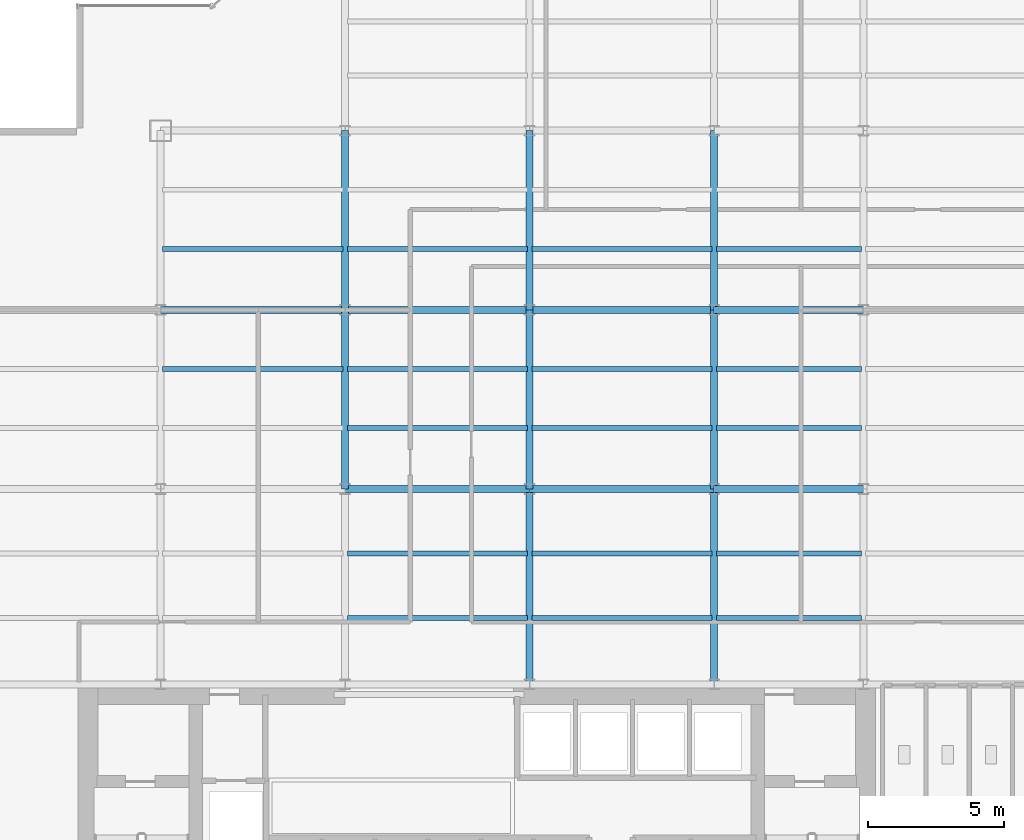
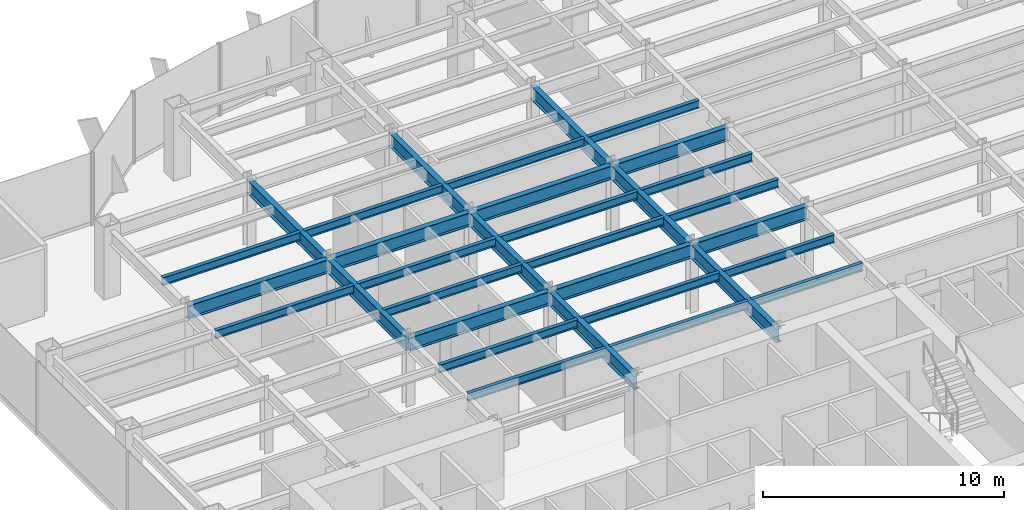
# One storey, part 7 of 26: 32 beams.
"""IFC4 building model written with IfcOpenShell, lengths in metres."""

from ifc_helpers import new_model, si_unit, derived_unit, direction, frame, origin, origin_2d, place, context, subcontext, project, spatial, i_section, extrude, source, transform, mapped, material, material_profile, profile_set, type_object, element, save


model = new_model("IFC4")

# Units and contexts
model_context = context("Model", 3, precision=1e-05, world=origin(), true_north=direction((0.0, 1.0)))
body_context = subcontext(model_context, "Body", "Model", "MODEL_VIEW")
ifc_project = project(units=[si_unit("LENGTHUNIT", "METRE"), si_unit("AREAUNIT", "SQUARE_METRE"), si_unit("VOLUMEUNIT", "CUBIC_METRE"), si_unit("PLANEANGLEUNIT", "RADIAN"), si_unit("MASSUNIT", "GRAM", prefix="KILO"), derived_unit("THERMALTRANSMITTANCEUNIT", [(si_unit("POWERUNIT", "WATT"), 1), (si_unit("LENGTHUNIT", "METRE"), -2), (si_unit("THERMODYNAMICTEMPERATUREUNIT", "KELVIN"), -1)])], contexts=[model_context])

# Site, building, storey
site_placement = place(None, origin())
site = spatial("IfcSite", under=ifc_project, at=site_placement, CompositionType="ELEMENT")
building_placement = place(site_placement, origin())
building = spatial("IfcBuilding", under=site, at=building_placement, Name="Skarnbrae Concourse Arena and Tower", CompositionType="ELEMENT")
storey_placement = place(building_placement, frame((0.0, 0.0, 128.800048828125)))
storey = spatial("IfcBuildingStorey", under=building, at=storey_placement, Name="L32", CompositionType="ELEMENT", Elevation=128.800048828125)

# Beams
ifc_material = material(Name="Steel CSA G40.21 350W", Category="steel")
ifc_material_profile_1 = material_profile(ifc_material, i_section(OverallWidth=0.256103515625, OverallDepth=0.693115234375, WebThickness=0.014404296875, FlangeThickness=0.023681640625, at=origin_2d()), Name="W690X170")
ifc_profile_set_1 = profile_set([ifc_material_profile_1], Name="Steel CSA G40.21 350W")
beam_type_1 = type_object("IfcBeamType", Name="BM-GIRD-W690X170", PredefinedType="BEAM", material=ifc_profile_set_1)
shared_shape_1 = source(origin(), body_context, "Body", "SweptSolid", [
    extrude(i_section(OverallWidth=0.256103515625, OverallDepth=0.693115234375, WebThickness=0.014404296875, FlangeThickness=0.023681640625, at=origin_2d()), origin(), (0.0, 0.0, 1.0), 6.60009765625),
])
for number, where, z_axis, x_axis, name in (
    (1, (14.39990234375, 21.199951171875, 3.053466796875), (0.0, 1.0, 0.0), (-1.0, 0.0, 0.0), "L32 Primary N-S girder X14.4-2"),
    (2, (21.199951171875, 21.199951171875, 3.053466796875), (0.0, 1.0, 0.0), (-1.0, 0.0, 0.0), "L32 Primary N-S girder X21.2-2"),
    (3, (28.0, 21.199951171875, 3.053466796875), (0.0, 1.0, 0.0), (-1.0, 0.0, 0.0), "L32 Primary N-S girder X28.0-2"),
):
    element("IfcBeam", number, at=place(storey_placement, frame(where, z_axis=z_axis, x_axis=x_axis)), inside=storey, type_object=beam_type_1, Name=name, PredefinedType="BEAM", context=body_context, shape_type="MappedRepresentation", body=[
        mapped(shared_shape_1, transform((0.0, 0.0, 0.0))),
    ])
shared_shape_2 = source(origin(), body_context, "Body", "SweptSolid", [
    extrude(i_section(OverallWidth=0.256103515625, OverallDepth=0.693115234375, WebThickness=0.014404296875, FlangeThickness=0.023681640625, at=origin_2d()), origin(), (0.0, 0.0, 1.0), 6.7998046875),
])
beam_placement = place(storey_placement, frame((7.60009765625, 27.800048828125, 3.053466796875), z_axis=(1.0, 0.0, 0.0), x_axis=(0.0, 1.0, 0.0)))
element("IfcBeam", 4, at=beam_placement, inside=storey, type_object=beam_type_1, Name="L32 Primary E-W girder Y27.8-2", PredefinedType="BEAM", context=body_context, shape_type="MappedRepresentation", body=[
    mapped(shared_shape_2, transform((0.0, 0.0, 0.0))),
])
shared_shape_3 = source(origin(), body_context, "Body", "SweptSolid", [
    extrude(i_section(OverallWidth=0.256103515625, OverallDepth=0.693115234375, WebThickness=0.014404296875, FlangeThickness=0.023681640625, at=origin_2d()), origin(), (0.0, 0.0, 1.0), 6.800048828125),
])
for number, where, z_axis, x_axis, name in (
    (5, (14.39990234375, 21.199951171875, 3.053466796875), (1.0, 0.0, 0.0), (0.0, 1.0, 0.0), "L32 Primary E-W girder Y21.2-3"),
    (6, (21.199951171875, 21.199951171875, 3.053466796875), (1.0, 0.0, 0.0), (0.0, 1.0, 0.0), "L32 Primary E-W girder Y21.2-4"),
    (7, (14.39990234375, 27.800048828125, 3.053466796875), (1.0, 0.0, 0.0), (0.0, 1.0, 0.0), "L32 Primary E-W girder Y27.8-3"),
    (8, (21.199951171875, 27.800048828125, 3.053466796875), (1.0, 0.0, 0.0), (0.0, 1.0, 0.0), "L32 Primary E-W girder Y27.8-4"),
):
    element("IfcBeam", number, at=place(storey_placement, frame(where, z_axis=z_axis, x_axis=x_axis)), inside=storey, type_object=beam_type_1, Name=name, PredefinedType="BEAM", context=body_context, shape_type="MappedRepresentation", body=[
        mapped(shared_shape_3, transform((0.0, 0.0, 0.0))),
    ])
shared_shape_4 = source(origin(), body_context, "Body", "SweptSolid", [
    extrude(i_section(OverallWidth=0.256103515625, OverallDepth=0.693115234375, WebThickness=0.014404296875, FlangeThickness=0.023681640625, at=origin_2d()), origin(), (0.0, 0.0, 1.0), 5.5),
])
for number, where, z_axis, x_axis, name in (
    (9, (28.0, 21.199951171875, 3.053466796875), (1.0, 0.0, 0.0), (0.0, 1.0, 0.0), "L32 Primary E-W girder Y21.2-5"),
    (10, (28.0, 27.800048828125, 3.053466796875), (1.0, 0.0, 0.0), (0.0, 1.0, 0.0), "L32 Primary E-W girder Y27.8-5"),
):
    element("IfcBeam", number, at=place(storey_placement, frame(where, z_axis=z_axis, x_axis=x_axis)), inside=storey, type_object=beam_type_1, Name=name, PredefinedType="BEAM", context=body_context, shape_type="MappedRepresentation", body=[
        mapped(shared_shape_4, transform((0.0, 0.0, 0.0))),
    ])
shared_shape_5 = source(origin(), body_context, "Body", "SweptSolid", [
    extrude(i_section(OverallWidth=0.256103515625, OverallDepth=0.693115234375, WebThickness=0.014404296875, FlangeThickness=0.023681640625, at=origin_2d()), origin(), (0.0, 0.0, 1.0), 7.199951171875),
])
for number, where, z_axis, x_axis, name in (
    (11, (21.199951171875, 14.0, 3.053466796875), (0.0, 1.0, 0.0), (-1.0, 0.0, 0.0), "L32 Primary N-S girder X21.2-1"),
    (12, (28.0, 14.0, 3.053466796875), (0.0, 1.0, 0.0), (-1.0, 0.0, 0.0), "L32 Primary N-S girder X28.0-1"),
):
    element("IfcBeam", number, at=place(storey_placement, frame(where, z_axis=z_axis, x_axis=x_axis)), inside=storey, type_object=beam_type_1, Name=name, PredefinedType="BEAM", context=body_context, shape_type="MappedRepresentation", body=[
        mapped(shared_shape_5, transform((0.0, 0.0, 0.0))),
    ])
shared_shape_6 = source(origin(), body_context, "Body", "SweptSolid", [
    extrude(i_section(OverallWidth=0.256103515625, OverallDepth=0.693115234375, WebThickness=0.014404296875, FlangeThickness=0.023681640625, at=origin_2d()), origin(), (0.0, 0.0, 1.0), 6.599853515625),
])
for number, where, z_axis, x_axis, name in (
    (13, (14.39990234375, 27.800048828125, 3.053466796875), (0.0, 1.0, 0.0), (-1.0, 0.0, 0.0), "L32 Primary N-S girder X14.4-3"),
    (14, (21.199951171875, 27.800048828125, 3.053466796875), (0.0, 1.0, 0.0), (-1.0, 0.0, 0.0), "L32 Primary N-S girder X21.2-3"),
    (15, (28.0, 27.800048828125, 3.053466796875), (0.0, 1.0, 0.0), (-1.0, 0.0, 0.0), "L32 Primary N-S girder X28.0-3"),
):
    element("IfcBeam", number, at=place(storey_placement, frame(where, z_axis=z_axis, x_axis=x_axis)), inside=storey, type_object=beam_type_1, Name=name, PredefinedType="BEAM", context=body_context, shape_type="MappedRepresentation", body=[
        mapped(shared_shape_6, transform((0.0, 0.0, 0.0))),
    ])
ifc_material_profile_2 = material_profile(ifc_material, i_section(OverallWidth=0.177978515625, OverallDepth=0.406982421875, WebThickness=0.0078125, FlangeThickness=0.0126953125, at=origin_2d()), Name="W410X60")
ifc_profile_set_2 = profile_set([ifc_material_profile_2], Name="Steel CSA G40.21 350W")
beam_type_2 = type_object("IfcBeamType", Name="BM-JOIST-W410X60", PredefinedType="JOIST", material=ifc_profile_set_2)
shared_shape_7 = source(origin(), body_context, "Body", "SweptSolid", [
    extrude(i_section(OverallWidth=0.177978515625, OverallDepth=0.406982421875, WebThickness=0.0078125, FlangeThickness=0.0126953125, at=origin_2d()), origin(), (0.0, 0.0, 1.0), 6.64013671875),
])
for number, where, z_axis, x_axis, name in (
    (16, (14.47998046875, 16.447998046875, 3.196533203125), (1.0, 0.0, 0.0), (0.0, 1.0, 0.0), "L32 Secondary floor joist 1.1.3"),
    (17, (14.47998046875, 18.823974609375, 3.196533203125), (1.0, 0.0, 0.0), (0.0, 1.0, 0.0), "L32 Secondary floor joist 1.2.3"),
    (18, (14.47998046875, 23.444091796875, 3.196533203125), (1.0, 0.0, 0.0), (0.0, 1.0, 0.0), "L32 Secondary floor joist 2.1.3"),
    (19, (7.679931640625, 25.6220703125, 3.196533203125), (1.0, 0.0, 0.0), (0.0, 1.0, 0.0), "L32 Secondary floor joist 2.2.2"),
    (20, (14.47998046875, 25.6220703125, 3.196533203125), (1.0, 0.0, 0.0), (0.0, 1.0, 0.0), "L32 Secondary floor joist 2.2.3"),
    (21, (7.679931640625, 30.0439453125, 3.196533203125), (1.0, 0.0, 0.0), (0.0, 1.0, 0.0), "L32 Secondary floor joist 3.1.1"),
    (22, (14.47998046875, 30.0439453125, 3.196533203125), (1.0, 0.0, 0.0), (0.0, 1.0, 0.0), "L32 Secondary floor joist 3.1.2"),
):
    element("IfcBeam", number, at=place(storey_placement, frame(where, z_axis=z_axis, x_axis=x_axis)), inside=storey, type_object=beam_type_2, Name=name, PredefinedType="JOIST", context=body_context, shape_type="MappedRepresentation", body=[
        mapped(shared_shape_7, transform((0.0, 0.0, 0.0))),
    ])
shared_shape_8 = source(origin(), body_context, "Body", "SweptSolid", [
    extrude(i_section(OverallWidth=0.177978515625, OverallDepth=0.406982421875, WebThickness=0.0078125, FlangeThickness=0.0126953125, at=origin_2d()), origin(), (0.0, 0.0, 1.0), 6.639892578125),
])
for number, where, z_axis, x_axis, name in (
    (23, (21.280029296875, 16.447998046875, 3.196533203125), (1.0, 0.0, 0.0), (0.0, 1.0, 0.0), "L32 Secondary floor joist 1.1.4"),
    (24, (21.280029296875, 18.823974609375, 3.196533203125), (1.0, 0.0, 0.0), (0.0, 1.0, 0.0), "L32 Secondary floor joist 1.2.4"),
    (25, (21.280029296875, 23.444091796875, 3.196533203125), (1.0, 0.0, 0.0), (0.0, 1.0, 0.0), "L32 Secondary floor joist 2.1.4"),
    (26, (21.280029296875, 25.6220703125, 3.196533203125), (1.0, 0.0, 0.0), (0.0, 1.0, 0.0), "L32 Secondary floor joist 2.2.4"),
    (27, (21.280029296875, 30.0439453125, 3.196533203125), (1.0, 0.0, 0.0), (0.0, 1.0, 0.0), "L32 Secondary floor joist 3.1.3"),
):
    element("IfcBeam", number, at=place(storey_placement, frame(where, z_axis=z_axis, x_axis=x_axis)), inside=storey, type_object=beam_type_2, Name=name, PredefinedType="JOIST", context=body_context, shape_type="MappedRepresentation", body=[
        mapped(shared_shape_8, transform((0.0, 0.0, 0.0))),
    ])
shared_shape_9 = source(origin(), body_context, "Body", "SweptSolid", [
    extrude(i_section(OverallWidth=0.177978515625, OverallDepth=0.406982421875, WebThickness=0.0078125, FlangeThickness=0.0126953125, at=origin_2d()), origin(), (0.0, 0.0, 1.0), 5.33984375),
])
for number, where, z_axis, x_axis, name in (
    (28, (28.080078125, 16.447998046875, 3.196533203125), (1.0, 0.0, 0.0), (0.0, 1.0, 0.0), "L32 Secondary floor joist 1.1.5"),
    (29, (28.080078125, 18.823974609375, 3.196533203125), (1.0, 0.0, 0.0), (0.0, 1.0, 0.0), "L32 Secondary floor joist 1.2.5"),
    (30, (28.080078125, 23.444091796875, 3.196533203125), (1.0, 0.0, 0.0), (0.0, 1.0, 0.0), "L32 Secondary floor joist 2.1.5"),
    (31, (28.080078125, 25.6220703125, 3.196533203125), (1.0, 0.0, 0.0), (0.0, 1.0, 0.0), "L32 Secondary floor joist 2.2.5"),
    (32, (28.080078125, 30.0439453125, 3.196533203125), (1.0, 0.0, 0.0), (0.0, 1.0, 0.0), "L32 Secondary floor joist 3.1.4"),
):
    element("IfcBeam", number, at=place(storey_placement, frame(where, z_axis=z_axis, x_axis=x_axis)), inside=storey, type_object=beam_type_2, Name=name, PredefinedType="JOIST", context=body_context, shape_type="MappedRepresentation", body=[
        mapped(shared_shape_9, transform((0.0, 0.0, 0.0))),
    ])

save(model, "model.ifc")
